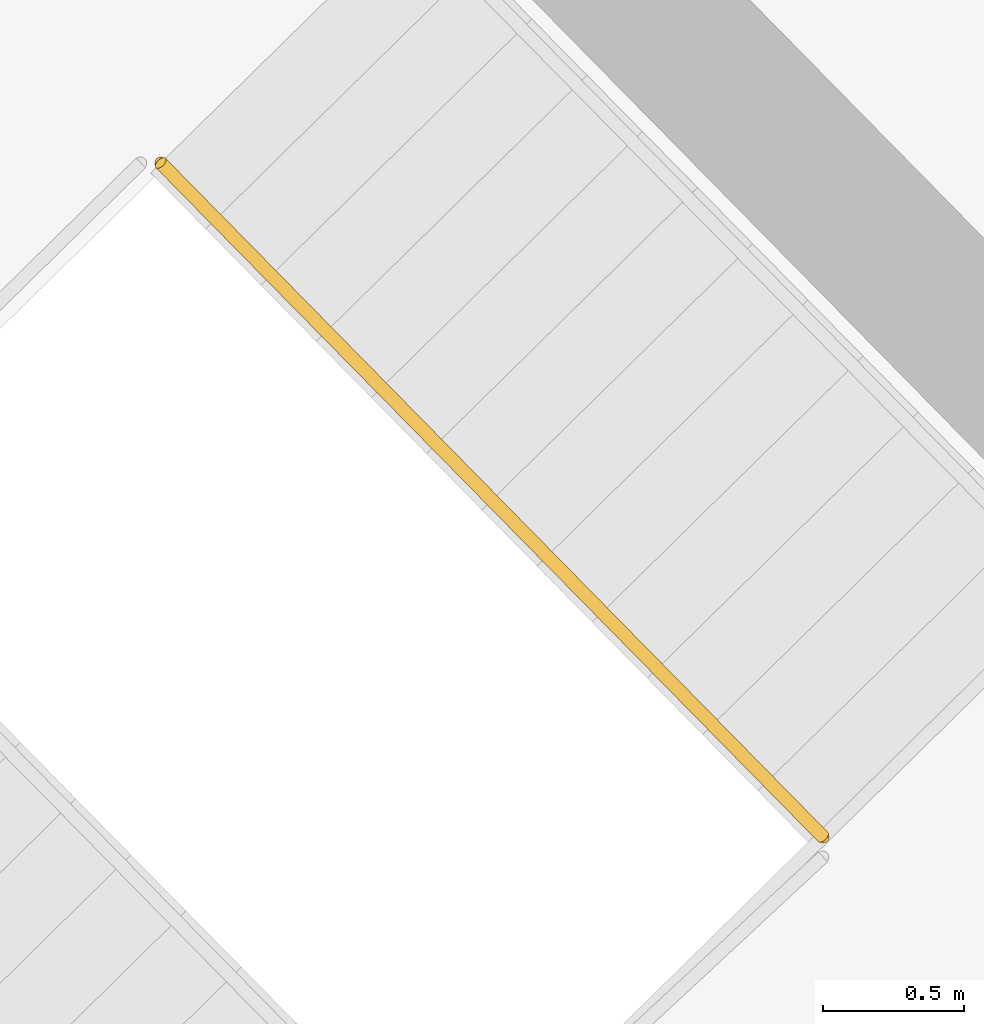
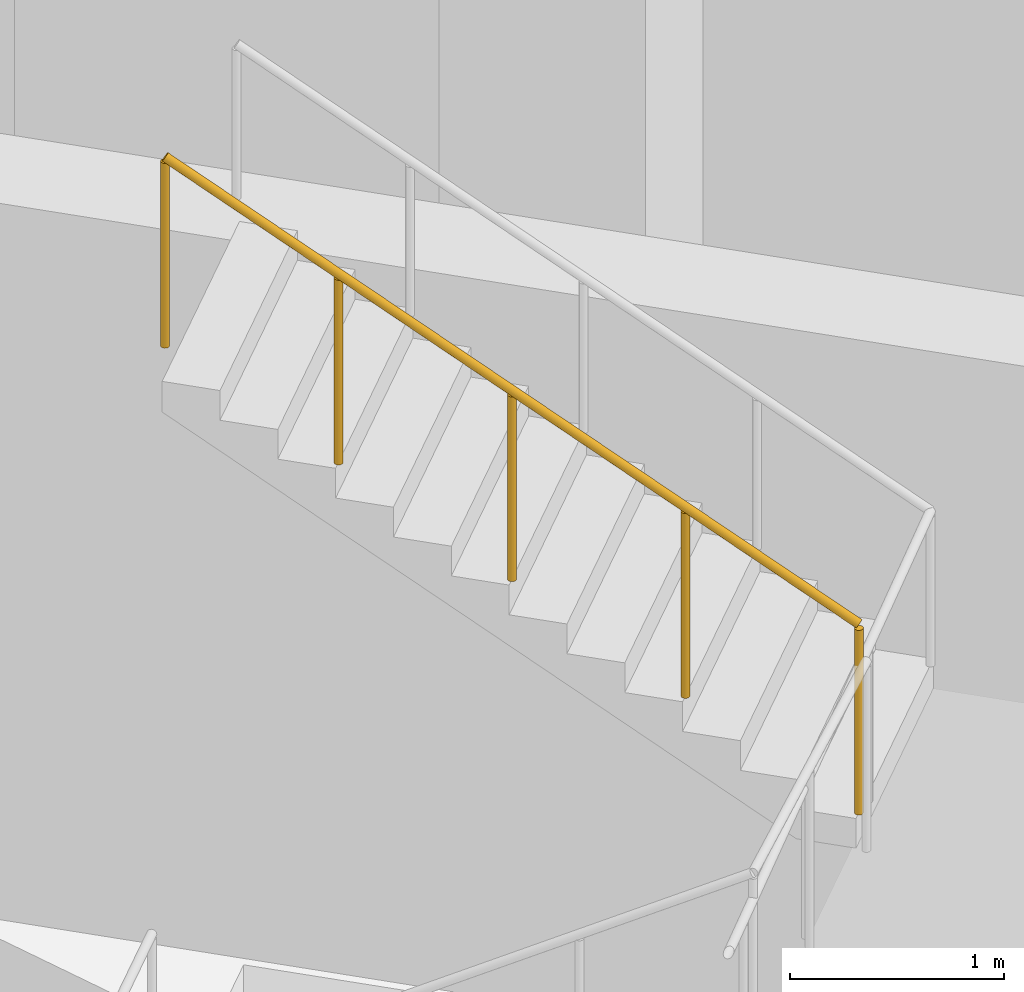
# One storey, part 10 of 10: 1 railing.
"""IFC4 building model written with IfcOpenShell, lengths in metres."""

from ifc_helpers import new_model, si_unit, direction, frame, origin, origin_2d, place, context, subcontext, project, spatial, circle, extrude, material, type_object, element, save


model = new_model("IFC4")

# Units and contexts
model_context = context("Model", 3, precision=1e-05, world=origin(), true_north=direction((0.0, 1.0)))
body_context = subcontext(model_context, "Body", "Model", "MODEL_VIEW")
ifc_project = project(units=[si_unit("LENGTHUNIT", "METRE"), si_unit("AREAUNIT", "SQUARE_METRE"), si_unit("VOLUMEUNIT", "CUBIC_METRE"), si_unit("PLANEANGLEUNIT", "RADIAN"), si_unit("MASSUNIT", "GRAM", prefix="KILO")], contexts=[model_context])

# Site, building, storey
site_placement = place(None, origin())
site = spatial("IfcSite", under=ifc_project, at=site_placement, CompositionType="ELEMENT")
building_placement = place(site_placement, origin())
building = spatial("IfcBuilding", under=site, at=building_placement, Name="Binnacle Exchange Tower", CompositionType="ELEMENT")
storey_placement = place(building_placement, frame((0.0, 0.0, 136.699951171875)))
storey = spatial("IfcBuildingStorey", under=building, at=storey_placement, Name="L28", CompositionType="ELEMENT", Elevation=136.699951171875)

# Railing
ifc_material = material(Name="Steel guard rail", Category="steel")
railing_type = type_object("IfcRailingType", Name="STAIR GUARD 1100", PredefinedType="GUARDRAIL", material=ifc_material)
railing_placement = place(storey_placement, frame((44.4970703125, 45.947021484375, 2.369384765625)))
element("IfcRailing", 1, at=railing_placement, inside=storey, type_object=railing_type, Name="L28 STB1 stair guard 2", PredefinedType="GUARDRAIL", context=body_context, shape_type="SweptSolid", body=[
    extrude(circle(Radius=0.02392578125, at=origin_2d()), frame((0.0, 0.0, 1.076171875), z_axis=(-0.599850224077, 0.610421915772, 0.51726665601), x_axis=(-0.713256128111, -0.700903485305, 0.0)), (0.0, 0.0, 1.0), 3.926025390625),
    extrude(circle(Radius=0.02099609375, at=origin_2d()), origin(), (0.0, 0.0, 1.0), 1.052001953125),
    extrude(circle(Radius=0.02099609375, at=origin_2d()), frame((-0.5888671875, 0.59912109375, 0.5078125)), (0.0, 0.0, 1.0), 1.052001953125),
    extrude(circle(Radius=0.02099609375, at=origin_2d()), frame((-1.177490234375, 1.1982421875, 1.015380859375)), (0.0, 0.0, 1.0), 1.052001953125),
    extrude(circle(Radius=0.02099609375, at=origin_2d()), frame((-1.76611328125, 1.79736328125, 1.52294921875)), (0.0, 0.0, 1.0), 1.052001953125),
    extrude(circle(Radius=0.02099609375, at=origin_2d()), frame((-2.35498046875, 2.396484375, 2.03076171875)), (0.0, 0.0, 1.0), 1.052001953125),
])

save(model, "model.ifc")
